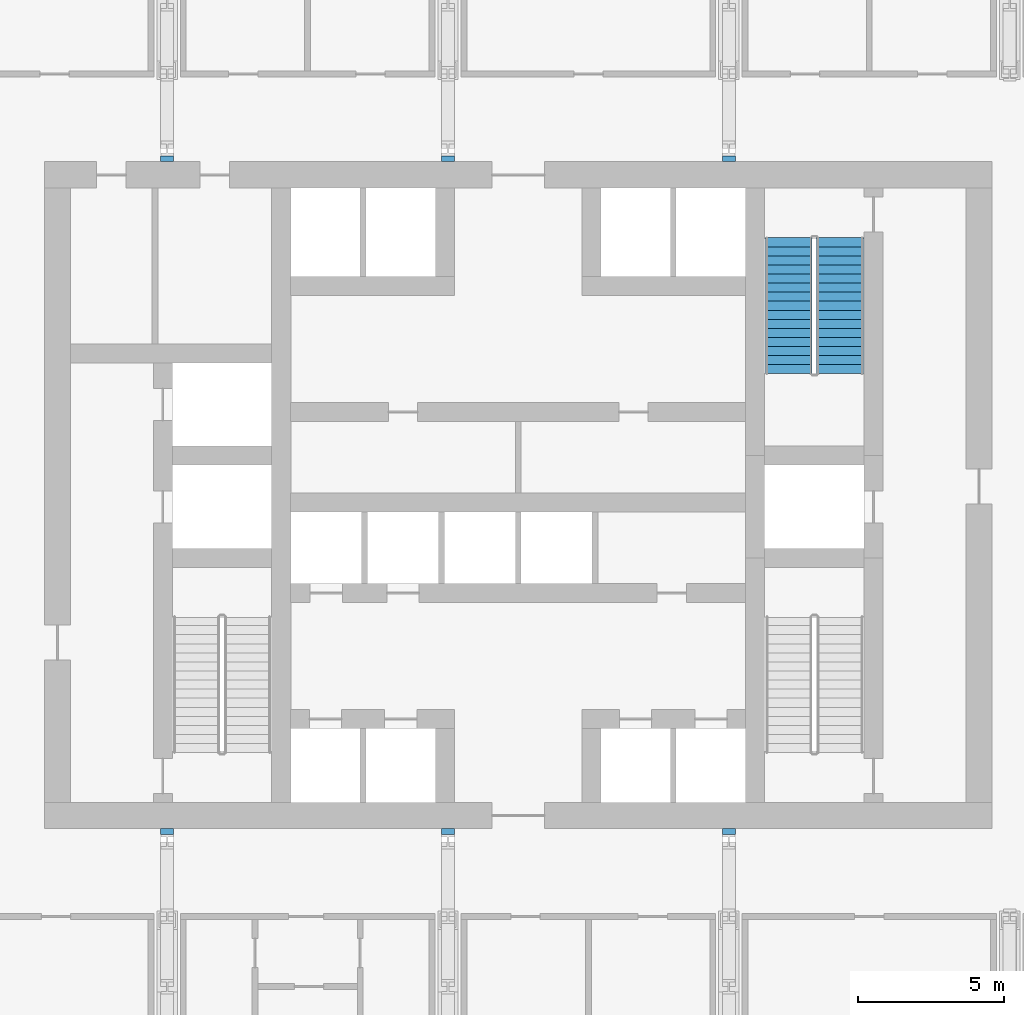
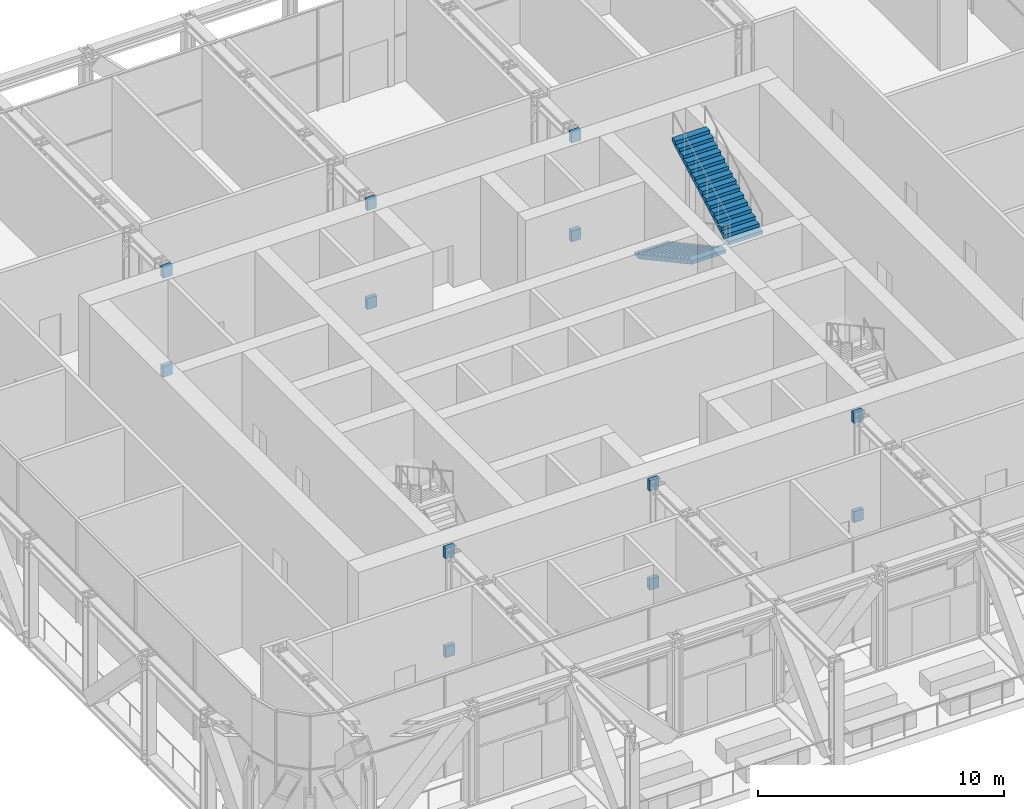
# One storey, part 18 of 23: 12 discrete accessories, 2 stair flights, 1 element without a shape of its own.
"""IFC4 building model written with IfcOpenShell, lengths in metres."""

from ifc_helpers import new_model, si_unit, direction, frame, origin, origin_2d, place, context, subcontext, project, spatial, polyline, rectangle, outline, extrude, material, type_object, element, aggregate, save


model = new_model("IFC4")

# Units and contexts
model_context = context("Model", 3, precision=1e-05, world=origin(), true_north=direction((0.0, 1.0)))
body_context = subcontext(model_context, "Body", "Model", "MODEL_VIEW")
ifc_project = project(units=[si_unit("LENGTHUNIT", "METRE"), si_unit("AREAUNIT", "SQUARE_METRE"), si_unit("VOLUMEUNIT", "CUBIC_METRE"), si_unit("PLANEANGLEUNIT", "RADIAN"), si_unit("MASSUNIT", "GRAM", prefix="KILO")], contexts=[model_context])

# Site, building, storey
site_placement = place(None, origin())
site = spatial("IfcSite", under=ifc_project, at=site_placement, CompositionType="ELEMENT")
building_placement = place(site_placement, origin())
building = spatial("IfcBuilding", under=site, at=building_placement, Name="Madar Terraces", CompositionType="ELEMENT")
storey_placement = place(building_placement, frame((0.0, 0.0, 83.800048828125)))
storey = spatial("IfcBuildingStorey", under=building, at=storey_placement, Name="L21", CompositionType="ELEMENT", Elevation=83.800048828125)

# Stair, stair flights
ifc_material_1 = material(Name="Concrete C50/60", Category="concrete")
stair_type = type_object("IfcStairType", Name="Stair ST2 protected exit", PredefinedType="HALF_TURN_STAIR", material=ifc_material_1)
stair_placement = place(storey_placement, origin())
stair = element("IfcStair", 1, at=stair_placement, inside=storey, type_object=stair_type, Name="L21 Protected Exit Stair ST2", PredefinedType="HALF_TURN_STAIR")
ifc_material_2 = material(Name="Concrete C50/60", Category="concrete")
stair_flight_type = type_object("IfcStairFlightType", Name="Stair flight ST2-F3, 1600 wide, 16 risers", PredefinedType="STRAIGHT", material=ifc_material_2)
stair_flight_1_placement = place(storey_placement, frame((40.449951171875, 35.199951171875, 0.0), z_axis=(0.0, 0.0, 1.0), x_axis=(0.0, -1.0, 0.0)))
stair_flight_1 = element("IfcStairFlight", 2, at=stair_flight_1_placement, type_object=stair_flight_type, Name="ST2 flight 1", NumberOfRisers=16, NumberOfTreads=15, PredefinedType="STRAIGHT", RiserHeight=0.16875, TreadLength=0.31, context=body_context, shape_type="SweptSolid", body=[
    extrude(outline(polyline([(0.0, 0.0), (0.0, 0.168701171875), (0.31005859375, 0.168701171875), (0.31005859375, 0.33740234375), (0.6201171875, 0.33740234375), (0.6201171875, 0.50634765625), (0.929931640625, 0.50634765625), (0.929931640625, 0.675048828125), (1.239990234375, 0.675048828125), (1.239990234375, 0.84375), (1.550048828125, 0.84375), (1.550048828125, 1.012451171875), (1.860107421875, 1.012451171875), (1.860107421875, 1.18115234375), (2.169921875, 1.18115234375), (2.169921875, 1.35009765625), (2.47998046875, 1.35009765625), (2.47998046875, 1.518798828125), (2.7900390625, 1.518798828125), (2.7900390625, 1.6875), (3.10009765625, 1.6875), (3.10009765625, 1.856201171875), (3.409912109375, 1.856201171875), (3.409912109375, 2.02490234375), (3.719970703125, 2.02490234375), (3.719970703125, 2.19384765625), (4.030029296875, 2.19384765625), (4.030029296875, 2.362548828125), (4.340087890625, 2.362548828125), (4.340087890625, 2.53125), (4.64990234375, 2.53125), (4.64990234375, 2.699951171875), (4.64990234375, 2.360595703125), (0.3134765625, 0.0), (0.0, 0.0)])), frame((0.0, 0.800048828125, 0.0), z_axis=(0.0, -1.0, 0.0), x_axis=(1.0, 0.0, 0.0)), (0.0, 0.0, 1.0), 1.60009765625),
])
stair_flight_2_placement = place(storey_placement, frame((42.199951171875, 30.550048828125, 2.699951171875), z_axis=(0.0, 0.0, 1.0), x_axis=(0.0, 1.0, 0.0)))
stair_flight_2 = element("IfcStairFlight", 3, at=stair_flight_2_placement, type_object=stair_flight_type, Name="ST2 flight 2", NumberOfRisers=16, NumberOfTreads=15, PredefinedType="STRAIGHT", RiserHeight=0.16875, TreadLength=0.31, context=body_context, shape_type="SweptSolid", body=[
    extrude(outline(polyline([(0.0, 0.0), (0.0, 0.168701171875), (0.31005859375, 0.168701171875), (0.31005859375, 0.33740234375), (0.6201171875, 0.33740234375), (0.6201171875, 0.50634765625), (0.929931640625, 0.50634765625), (0.929931640625, 0.675048828125), (1.239990234375, 0.675048828125), (1.239990234375, 0.84375), (1.550048828125, 0.84375), (1.550048828125, 1.012451171875), (1.860107421875, 1.012451171875), (1.860107421875, 1.18115234375), (2.169921875, 1.18115234375), (2.169921875, 1.35009765625), (2.47998046875, 1.35009765625), (2.47998046875, 1.518798828125), (2.7900390625, 1.518798828125), (2.7900390625, 1.6875), (3.10009765625, 1.6875), (3.10009765625, 1.856201171875), (3.409912109375, 1.856201171875), (3.409912109375, 2.02490234375), (3.719970703125, 2.02490234375), (3.719970703125, 2.19384765625), (4.030029296875, 2.19384765625), (4.030029296875, 2.362548828125), (4.340087890625, 2.362548828125), (4.340087890625, 2.53125), (4.64990234375, 2.53125), (4.64990234375, 2.699951171875), (4.64990234375, 2.360595703125), (0.3134765625, 0.0), (0.0, 0.0)])), frame((0.0, 0.800048828125, 0.0), z_axis=(0.0, -1.0, 0.0), x_axis=(1.0, 0.0, 0.0)), (0.0, 0.0, 1.0), 1.60009765625),
])
aggregate(stair, [stair_flight_1, stair_flight_2])

# Discrete accessories
ifc_material_3 = material(Name="Steel, galvanised", Category="steel")
discrete_accessory_type = type_object("IfcDiscreteAccessoryType", Name="Truss bearing plate", PredefinedType="BRACKET", material=ifc_material_3)
discrete_accessory_1_placement = place(storey_placement, frame((19.199951171875, 14.8994140625, -0.419921875), z_axis=(0.0, 0.0, 1.0), x_axis=(1.0, 0.0, 0.0)))
element("IfcDiscreteAccessory", 4, at=discrete_accessory_1_placement, inside=storey, type_object=discrete_accessory_type, Name="Truss bearing plate bottom", PredefinedType="BRACKET", context=body_context, shape_type="SweptSolid", body=[
    extrude(rectangle(XDim=0.449462890625, YDim=0.201171875, at=origin_2d()), origin(), (0.0, 0.0, 1.0), 0.548583984375),
])
discrete_accessory_2_placement = place(storey_placement, frame((19.199951171875, 14.8994140625, 4.4990234375), z_axis=(0.0, 0.0, 1.0), x_axis=(1.0, 0.0, 0.0)))
element("IfcDiscreteAccessory", 5, at=discrete_accessory_2_placement, inside=storey, type_object=discrete_accessory_type, Name="Truss bearing plate top", PredefinedType="BRACKET", context=body_context, shape_type="SweptSolid", body=[
    extrude(rectangle(XDim=0.44189453125, YDim=0.201171875, at=origin_2d()), origin(), (0.0, 0.0, 1.0), 0.53076171875),
])
discrete_accessory_3_placement = place(storey_placement, frame((28.800048828125, 14.8994140625, -0.419921875), z_axis=(0.0, 0.0, 1.0), x_axis=(1.0, 0.0, 0.0)))
element("IfcDiscreteAccessory", 6, at=discrete_accessory_3_placement, inside=storey, type_object=discrete_accessory_type, Name="Truss bearing plate bottom", PredefinedType="BRACKET", context=body_context, shape_type="SweptSolid", body=[
    extrude(rectangle(XDim=0.449462890625, YDim=0.201171875, at=origin_2d()), origin(), (0.0, 0.0, 1.0), 0.548583984375),
])
discrete_accessory_4_placement = place(storey_placement, frame((28.800048828125, 14.8994140625, 4.4990234375), z_axis=(0.0, 0.0, 1.0), x_axis=(1.0, 0.0, 0.0)))
element("IfcDiscreteAccessory", 7, at=discrete_accessory_4_placement, inside=storey, type_object=discrete_accessory_type, Name="Truss bearing plate top", PredefinedType="BRACKET", context=body_context, shape_type="SweptSolid", body=[
    extrude(rectangle(XDim=0.44189453125, YDim=0.201171875, at=origin_2d()), origin(), (0.0, 0.0, 1.0), 0.53076171875),
])
discrete_accessory_5_placement = place(storey_placement, frame((38.39990234375, 14.8994140625, -0.419921875), z_axis=(0.0, 0.0, 1.0), x_axis=(1.0, 0.0, 0.0)))
element("IfcDiscreteAccessory", 8, at=discrete_accessory_5_placement, inside=storey, type_object=discrete_accessory_type, Name="Truss bearing plate bottom", PredefinedType="BRACKET", context=body_context, shape_type="SweptSolid", body=[
    extrude(rectangle(XDim=0.449462890625, YDim=0.201171875, at=origin_2d()), origin(), (0.0, 0.0, 1.0), 0.548583984375),
])
discrete_accessory_6_placement = place(storey_placement, frame((38.39990234375, 14.8994140625, 4.4990234375), z_axis=(0.0, 0.0, 1.0), x_axis=(1.0, 0.0, 0.0)))
element("IfcDiscreteAccessory", 9, at=discrete_accessory_6_placement, inside=storey, type_object=discrete_accessory_type, Name="Truss bearing plate top", PredefinedType="BRACKET", context=body_context, shape_type="SweptSolid", body=[
    extrude(rectangle(XDim=0.44189453125, YDim=0.201171875, at=origin_2d()), origin(), (0.0, 0.0, 1.0), 0.53076171875),
])
discrete_accessory_7_placement = place(storey_placement, frame((19.199951171875, 37.900634765625, -0.419921875), z_axis=(0.0, 0.0, 1.0), x_axis=(1.0, 0.0, 0.0)))
element("IfcDiscreteAccessory", 10, at=discrete_accessory_7_placement, inside=storey, type_object=discrete_accessory_type, Name="Truss bearing plate bottom", PredefinedType="BRACKET", context=body_context, shape_type="SweptSolid", body=[
    extrude(rectangle(XDim=0.449462890625, YDim=0.201171875, at=origin_2d()), origin(), (0.0, 0.0, 1.0), 0.548583984375),
])
discrete_accessory_8_placement = place(storey_placement, frame((19.199951171875, 37.900634765625, 4.4990234375), z_axis=(0.0, 0.0, 1.0), x_axis=(1.0, 0.0, 0.0)))
element("IfcDiscreteAccessory", 11, at=discrete_accessory_8_placement, inside=storey, type_object=discrete_accessory_type, Name="Truss bearing plate top", PredefinedType="BRACKET", context=body_context, shape_type="SweptSolid", body=[
    extrude(rectangle(XDim=0.44189453125, YDim=0.201171875, at=origin_2d()), origin(), (0.0, 0.0, 1.0), 0.53076171875),
])
discrete_accessory_9_placement = place(storey_placement, frame((28.800048828125, 37.900634765625, -0.419921875), z_axis=(0.0, 0.0, 1.0), x_axis=(1.0, 0.0, 0.0)))
element("IfcDiscreteAccessory", 12, at=discrete_accessory_9_placement, inside=storey, type_object=discrete_accessory_type, Name="Truss bearing plate bottom", PredefinedType="BRACKET", context=body_context, shape_type="SweptSolid", body=[
    extrude(rectangle(XDim=0.449462890625, YDim=0.201171875, at=origin_2d()), origin(), (0.0, 0.0, 1.0), 0.548583984375),
])
discrete_accessory_10_placement = place(storey_placement, frame((28.800048828125, 37.900634765625, 4.4990234375), z_axis=(0.0, 0.0, 1.0), x_axis=(1.0, 0.0, 0.0)))
element("IfcDiscreteAccessory", 13, at=discrete_accessory_10_placement, inside=storey, type_object=discrete_accessory_type, Name="Truss bearing plate top", PredefinedType="BRACKET", context=body_context, shape_type="SweptSolid", body=[
    extrude(rectangle(XDim=0.44189453125, YDim=0.201171875, at=origin_2d()), origin(), (0.0, 0.0, 1.0), 0.53076171875),
])
discrete_accessory_11_placement = place(storey_placement, frame((38.39990234375, 37.900634765625, -0.419921875), z_axis=(0.0, 0.0, 1.0), x_axis=(1.0, 0.0, 0.0)))
element("IfcDiscreteAccessory", 14, at=discrete_accessory_11_placement, inside=storey, type_object=discrete_accessory_type, Name="Truss bearing plate bottom", PredefinedType="BRACKET", context=body_context, shape_type="SweptSolid", body=[
    extrude(rectangle(XDim=0.449462890625, YDim=0.201171875, at=origin_2d()), origin(), (0.0, 0.0, 1.0), 0.548583984375),
])
discrete_accessory_12_placement = place(storey_placement, frame((38.39990234375, 37.900634765625, 4.4990234375), z_axis=(0.0, 0.0, 1.0), x_axis=(1.0, 0.0, 0.0)))
element("IfcDiscreteAccessory", 15, at=discrete_accessory_12_placement, inside=storey, type_object=discrete_accessory_type, Name="Truss bearing plate top", PredefinedType="BRACKET", context=body_context, shape_type="SweptSolid", body=[
    extrude(rectangle(XDim=0.44189453125, YDim=0.201171875, at=origin_2d()), origin(), (0.0, 0.0, 1.0), 0.53076171875),
])

save(model, "model.ifc")
